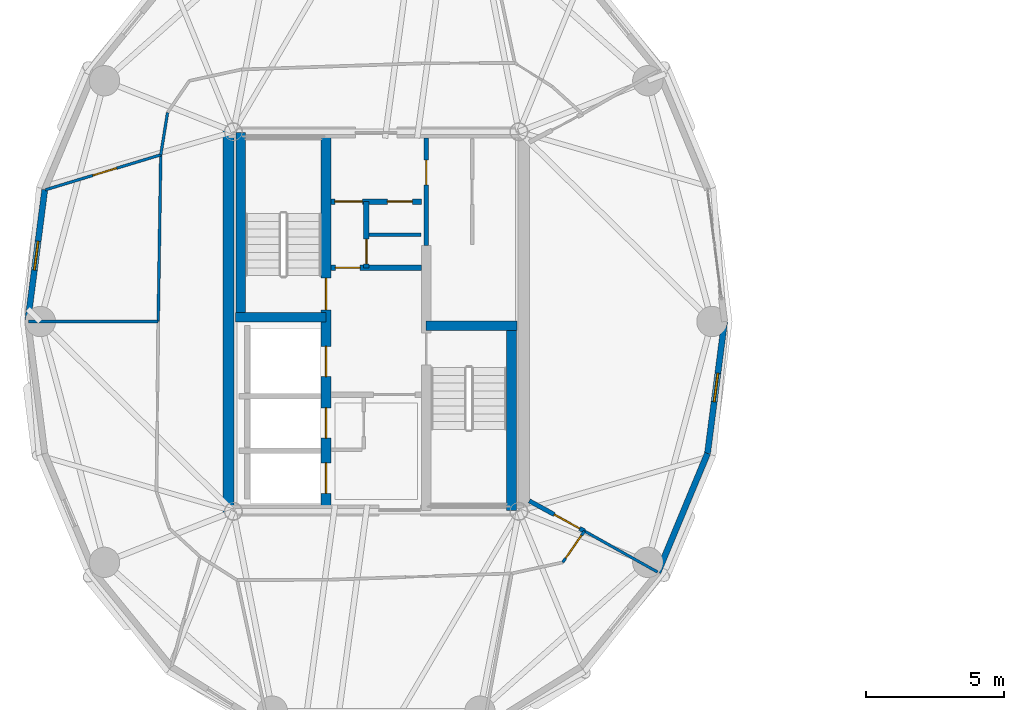
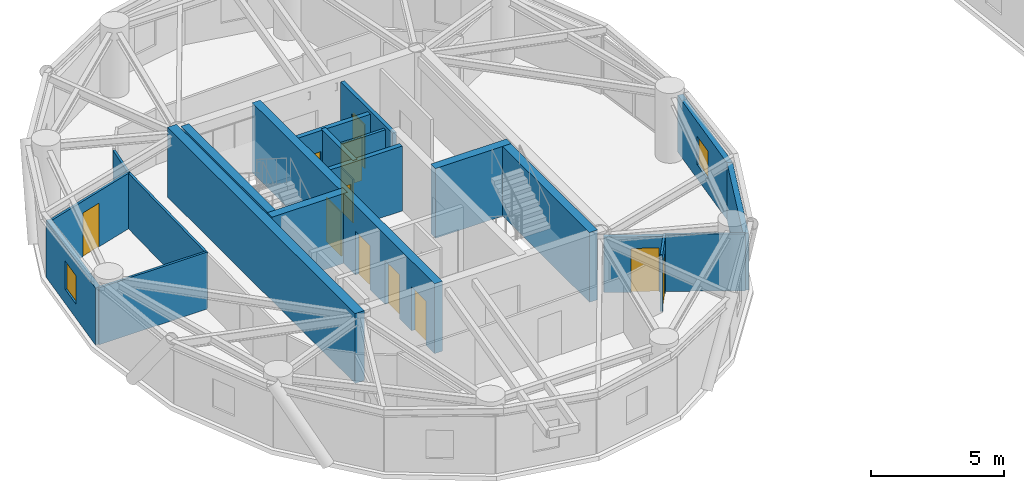
# One storey, part 9 of 15: 21 walls, 12 doors, 2 windows, 14 openings.
"""IFC4 building model written with IfcOpenShell, lengths in metres."""

from ifc_helpers import new_model, si_unit, direction, frame, frame_2d, origin, place, context, subcontext, project, spatial, rectangle, extrude, source, transform, mapped, material, layer, layer_set, type_object, element, fill, save


model = new_model("IFC4")

# Units and contexts
model_context = context("Model", 3, precision=1e-05, world=origin(), true_north=direction((0.0, 1.0)))
body_context = subcontext(model_context, "Body", "Model", "MODEL_VIEW")
ifc_project = project(units=[si_unit("LENGTHUNIT", "METRE"), si_unit("AREAUNIT", "SQUARE_METRE"), si_unit("VOLUMEUNIT", "CUBIC_METRE"), si_unit("PLANEANGLEUNIT", "RADIAN"), si_unit("MASSUNIT", "GRAM", prefix="KILO")], contexts=[model_context])

# Site, building, storey
site_placement = place(None, origin())
site = spatial("IfcSite", under=ifc_project, at=site_placement, CompositionType="ELEMENT")
building_placement = place(site_placement, origin())
building = spatial("IfcBuilding", under=site, at=building_placement, Name="Cununo Teusaquillo Station Towers", CompositionType="ELEMENT")
storey_placement = place(building_placement, frame((0.0, 0.0, 229.25)))
storey = spatial("IfcBuildingStorey", under=building, at=storey_placement, Name="L73", CompositionType="ELEMENT", Elevation=229.25)

# Wall, openings, doors
ifc_material_1 = material(Name="Concrete C50/60", Category="concrete")
ifc_layer_1 = layer(ifc_material_1, 0.35009765625)
ifc_layer_set_1 = layer_set([ifc_layer_1], Name="Concrete C50/60")
wall_type_1 = type_object("IfcWallType", Name="WL-CORE-350", PredefinedType="SHEAR", material=ifc_layer_set_1)
wall_1_placement = place(storey_placement, frame((14.68505859375, 17.64990234375, 0.0), z_axis=(0.0, 0.0, 1.0), x_axis=(0.0, 1.0, 0.0)))
wall_1 = element("IfcWall", 1, at=wall_1_placement, inside=storey, type_object=wall_type_1, Name="L73 Tower A Core Shear Wall IW", PredefinedType="SHEAR", context=body_context, shape_type="SweptSolid", body=[
    extrude(rectangle(XDim=13.7001953125, YDim=0.35009765625, at=frame_2d((6.85009765625, 0.0))), origin(), (0.0, 0.0, 1.0), 3.199951171875),
])
shared_shape_1 = source(origin(), body_context, "Body", "SweptSolid", [
    extrude(rectangle(XDim=1.10009765625, YDim=2.014892578125, at=frame_2d((0.550048828125, 1.00732421875))), frame((0.0, 0.18505859375, 0.0), z_axis=(0.0, -1.0, 0.0), x_axis=(1.0, 0.0, 0.0)), (0.0, 0.0, 1.0), 0.3701171875),
])
opening_1_placement = place(wall_1_placement, frame((4.85009765625, 0.0, 0.0)))
opening_1 = element("IfcOpeningElement", 2, at=opening_1_placement, cuts=wall_1, Name="Opening LD-01", PredefinedType="OPENING", context=body_context, shape_type="MappedRepresentation", body=[
    mapped(shared_shape_1, transform((0.0, 0.0, 0.0), x_axis=(1.0, 0.0, 0.0), y_axis=(0.0, 1.0, 0.0), z_axis=(0.0, 0.0, 1.0), scale=1.0)),
])
opening_2_placement = place(wall_1_placement, frame((0.625, 0.0, 0.0)))
opening_2 = element("IfcOpeningElement", 3, at=opening_2_placement, cuts=wall_1, Name="Opening LD-01", PredefinedType="OPENING", context=body_context, shape_type="MappedRepresentation", body=[
    mapped(shared_shape_1, transform((0.0, 0.0, 0.0), x_axis=(1.0, 0.0, 0.0), y_axis=(0.0, 1.0, 0.0), z_axis=(0.0, 0.0, 1.0), scale=1.0)),
])
opening_3_placement = place(wall_1_placement, frame((2.625, 0.0, 0.0)))
opening_3 = element("IfcOpeningElement", 4, at=opening_3_placement, cuts=wall_1, Name="Opening LD-01", PredefinedType="OPENING", context=body_context, shape_type="MappedRepresentation", body=[
    mapped(shared_shape_1, transform((0.0, 0.0, 0.0), x_axis=(1.0, 0.0, 0.0), y_axis=(0.0, 1.0, 0.0), z_axis=(0.0, 0.0, 1.0), scale=1.0)),
])
shared_shape_2 = source(origin(), body_context, "Body", "SweptSolid", [
    extrude(rectangle(XDim=1.14990234375, YDim=2.02001953125, at=frame_2d((0.574951171875, 1.010009765625))), frame((0.0, 0.18505859375, 0.0), z_axis=(0.0, -1.0, 0.0), x_axis=(1.0, 0.0, 0.0)), (0.0, 0.0, 1.0), 0.3701171875),
])
opening_4_placement = place(wall_1_placement, frame((7.27001953125, 0.0, 0.0)))
opening_4 = element("IfcOpeningElement", 5, at=opening_4_placement, cuts=wall_1, Name="Opening D-ST1", PredefinedType="OPENING", context=body_context, shape_type="MappedRepresentation", body=[
    mapped(shared_shape_2, transform((0.0, 0.0, 0.0), x_axis=(1.0, 0.0, 0.0), y_axis=(0.0, 1.0, 0.0), z_axis=(0.0, 0.0, 1.0), scale=1.0)),
])
ifc_material_2 = material(Name="Galvanised fire-rated hollow steel door assembly", Category="steel")
door_type_1 = type_object("IfcDoorType", Name="DR-LIFT-1100", OperationType="SLIDING_TO_LEFT", PredefinedType="DOOR", material=ifc_material_2)
shared_shape_3 = source(origin(), body_context, "Body", "SweptSolid", [
    extrude(rectangle(XDim=1.10009765625, YDim=2.014892578125, at=frame_2d((0.550048828125, 1.00732421875))), frame((0.0, 0.02490234375, 0.0), z_axis=(0.0, -1.0, 0.0), x_axis=(1.0, 0.0, 0.0)), (0.0, 0.0, 1.0), 0.050048828125),
])
door_1_placement = place(opening_1_placement, origin())
door_1 = element("IfcDoor", 6, at=door_1_placement, inside=storey, type_object=door_type_1, Name="L73 Lift FL-T1 Sliding Landing Door", OperationType="SLIDING_TO_RIGHT", OverallHeight=2.014892578125, OverallWidth=1.10009765625, PredefinedType="DOOR", context=body_context, shape_type="MappedRepresentation", body=[
    mapped(shared_shape_3, transform((0.0, 0.0, 0.0), x_axis=(1.0, 0.0, 0.0), y_axis=(0.0, 1.0, 0.0), z_axis=(0.0, 0.0, 1.0), scale=1.0)),
])
fill(opening_1, door_1)
door_2_placement = place(opening_2_placement, origin())
door_2 = element("IfcDoor", 7, at=door_2_placement, inside=storey, type_object=door_type_1, Name="L73 Lift PL-T1-H1 Sliding Landing Door", OperationType="SLIDING_TO_RIGHT", OverallHeight=2.014892578125, OverallWidth=1.10009765625, PredefinedType="DOOR", context=body_context, shape_type="MappedRepresentation", body=[
    mapped(shared_shape_3, transform((0.0, 0.0, 0.0), x_axis=(1.0, 0.0, 0.0), y_axis=(0.0, 1.0, 0.0), z_axis=(0.0, 0.0, 1.0), scale=1.0)),
])
fill(opening_2, door_2)
door_3_placement = place(opening_3_placement, origin())
door_3 = element("IfcDoor", 8, at=door_3_placement, inside=storey, type_object=door_type_1, Name="L73 Lift PL-T1-H2 Sliding Landing Door", OperationType="SLIDING_TO_LEFT", OverallHeight=2.014892578125, OverallWidth=1.10009765625, PredefinedType="DOOR", context=body_context, shape_type="MappedRepresentation", body=[
    mapped(shared_shape_3, transform((0.0, 0.0, 0.0), x_axis=(1.0, 0.0, 0.0), y_axis=(0.0, 1.0, 0.0), z_axis=(0.0, 0.0, 1.0), scale=1.0)),
])
fill(opening_3, door_3)
ifc_material_3 = material(Name="Galvanised fire-rated hollow steel door assembly", Category="steel")
door_type_2 = type_object("IfcDoorType", Name="DR-STAIR-1150", OperationType="NOTDEFINED", PredefinedType="DOOR", material=ifc_material_3)
shared_shape_4 = source(origin(), body_context, "Body", "SweptSolid", [
    extrude(rectangle(XDim=1.14990234375, YDim=2.02001953125, at=frame_2d((0.574951171875, 1.010009765625))), frame((0.0, 0.02490234375, 0.0), z_axis=(0.0, -1.0, 0.0), x_axis=(1.0, 0.0, 0.0)), (0.0, 0.0, 1.0), 0.050048828125),
])
door_4_placement = place(opening_4_placement, origin())
door_4 = element("IfcDoor", 9, at=door_4_placement, inside=storey, type_object=door_type_2, Name="L73 Tower A Exit Stair 1 Fire Door", OperationType="SINGLE_SWING_RIGHT", OverallHeight=2.02001953125, OverallWidth=1.14990234375, PredefinedType="DOOR", context=body_context, shape_type="MappedRepresentation", body=[
    mapped(shared_shape_4, transform((0.0, 0.0, 0.0), x_axis=(1.0, 0.0, 0.0), y_axis=(0.0, 1.0, 0.0), z_axis=(0.0, 0.0, 1.0), scale=1.0)),
])
fill(opening_4, door_4)

# Walls
wall_2_placement = place(storey_placement, frame((11.594970703125, 24.655029296875, 0.0), z_axis=(0.0, 0.0, 1.0), x_axis=(0.0, 1.0, 0.0)))
element("IfcWall", 10, at=wall_2_placement, inside=storey, type_object=wall_type_1, Name="L73 Tower A Core Shear Wall ST1W", PredefinedType="SHEAR", context=body_context, shape_type="SweptSolid", body=[
    extrude(rectangle(XDim=6.695068359375, YDim=0.35009765625, at=frame_2d((3.34765625, 0.0))), origin(), (0.0, 0.0, 1.0), 3.199951171875),
])
wall_3_placement = place(storey_placement, frame((11.39990234375, 24.655029296875, 0.0), z_axis=(0.0, 0.0, 1.0), x_axis=(1.0, 0.0, 0.0)))
element("IfcWall", 11, at=wall_3_placement, inside=storey, type_object=wall_type_1, Name="L73 Tower A Core Shear Wall ST1S", PredefinedType="SHEAR", context=body_context, shape_type="SweptSolid", body=[
    extrude(rectangle(XDim=3.28515625, YDim=0.35009765625, at=frame_2d((1.642578125, 0.0))), origin(), (0.0, 0.0, 1.0), 3.199951171875),
])
wall_4_placement = place(storey_placement, frame((21.405029296875, 17.64990234375, 0.0), z_axis=(0.0, 0.0, 1.0), x_axis=(0.0, 1.0, 0.0)))
element("IfcWall", 12, at=wall_4_placement, inside=storey, type_object=wall_type_1, Name="L73 Tower A Core Shear Wall ST2E", PredefinedType="SHEAR", context=body_context, shape_type="SweptSolid", body=[
    extrude(rectangle(XDim=6.695068359375, YDim=0.35009765625, at=frame_2d((3.34765625, 0.0))), origin(), (0.0, 0.0, 1.0), 3.199951171875),
])
wall_5_placement = place(storey_placement, frame((18.31494140625, 24.344970703125, 0.0), z_axis=(0.0, 0.0, 1.0), x_axis=(1.0, 0.0, 0.0)))
element("IfcWall", 13, at=wall_5_placement, inside=storey, type_object=wall_type_1, Name="L73 Tower A Core Shear Wall ST2N", PredefinedType="SHEAR", context=body_context, shape_type="SweptSolid", body=[
    extrude(rectangle(XDim=3.28515625, YDim=0.35009765625, at=frame_2d((1.642578125, 0.0))), origin(), (0.0, 0.0, 1.0), 3.199951171875),
])
ifc_material_4 = material(Name="Concrete C50/60", Category="concrete")
ifc_layer_2 = layer(ifc_material_4, 0.39990234375)
ifc_layer_set_2 = layer_set([ifc_layer_2], Name="Concrete C50/60")
wall_type_2 = type_object("IfcWallType", Name="WL-CORE-400", PredefinedType="SHEAR", material=ifc_layer_set_2)
wall_6_placement = place(storey_placement, frame((11.14990234375, 17.449951171875, 0.0), z_axis=(0.0, 0.0, 1.0), x_axis=(0.0, 1.0, 0.0)))
element("IfcWall", 14, at=wall_6_placement, inside=storey, type_object=wall_type_2, Name="L73 Tower A Core Shear Wall W", PredefinedType="SHEAR", context=body_context, shape_type="SweptSolid", body=[
    extrude(rectangle(XDim=14.10009765625, YDim=0.39990234375, at=frame_2d((7.050048828125, 0.0))), origin(), (0.0, 0.0, 1.0), 3.199951171875),
])

# Wall, opening, window
ifc_material_5 = material(Name="Precast concrete C40/50", Category="concrete")
ifc_layer_3 = layer(ifc_material_5, 0.219970703125)
ifc_layer_set_3 = layer_set([ifc_layer_3], Name="Precast concrete C40/50")
wall_type_3 = type_object("IfcWallType", Name="WL-EXT-220", PredefinedType="SOLIDWALL", material=ifc_layer_set_3)
wall_7_placement = place(storey_placement, frame((3.8701171875, 24.5, 0.0), z_axis=(0.0, 0.0, 1.0), x_axis=(0.128241318541, 0.991742993027, 0.0)))
wall_7 = element("IfcWall", 15, at=wall_7_placement, inside=storey, type_object=wall_type_3, Name="L73 Tower A Exterior Facade Wall C09", PredefinedType="SOLIDWALL", context=body_context, shape_type="SweptSolid", body=[
    extrude(rectangle(XDim=4.8203125, YDim=0.219970703125, at=frame_2d((2.41015625, 0.0))), origin(), (0.0, 0.0, 1.0), 2.612060546875),
])
shared_shape_5 = source(origin(), body_context, "Body", "SweptSolid", [
    extrude(rectangle(XDim=1.050048828125, YDim=1.300048828125, at=frame_2d((0.52490234375, 0.64990234375))), frame((0.0, 0.119873046875, 0.0), z_axis=(0.0, -1.0, 0.0), x_axis=(1.0, 0.0, 0.0)), (0.0, 0.0, 1.0), 0.239990234375),
])
opening_5_placement = place(wall_7_placement, frame((1.885009765625, 0.0, 0.64990234375)))
opening_5 = element("IfcOpeningElement", 16, at=opening_5_placement, cuts=wall_7, Name="Opening WN-04", PredefinedType="OPENING", context=body_context, shape_type="MappedRepresentation", body=[
    mapped(shared_shape_5, transform((0.0, 0.0, 0.0), x_axis=(1.0, 0.0, 0.0), y_axis=(0.0, 1.0, 0.0), z_axis=(0.0, 0.0, 1.0), scale=1.0)),
])
ifc_material_6 = material(Name="Operable acoustic tinted low-E double glazing", Category="glass")
window_type = type_object("IfcWindowType", Name="WIN-BAL-1050", PartitioningType="SINGLE_PANEL", PredefinedType="WINDOW", material=ifc_material_6)
shared_shape_6 = source(origin(), body_context, "Body", "SweptSolid", [
    extrude(rectangle(XDim=1.050048828125, YDim=1.300048828125, at=frame_2d((0.52490234375, 0.64990234375))), frame((0.0, 0.030029296875, 0.0), z_axis=(0.0, -1.0, 0.0), x_axis=(1.0, 0.0, 0.0)), (0.0, 0.0, 1.0), 0.06005859375),
])
window_1_placement = place(opening_5_placement, origin())
window_1 = element("IfcWindow", 17, at=window_1_placement, inside=storey, type_object=window_type, Name="L73 Tower A Facade Window C09", OverallHeight=1.300048828125, OverallWidth=1.050048828125, PartitioningType="SINGLE_PANEL", PredefinedType="WINDOW", context=body_context, shape_type="MappedRepresentation", body=[
    mapped(shared_shape_6, transform((0.0, 0.0, 0.0), x_axis=(1.0, 0.0, 0.0), y_axis=(0.0, 1.0, 0.0), z_axis=(0.0, 0.0, 1.0), scale=1.0)),
])
fill(opening_5, window_1)

# Wall
wall_8_placement = place(storey_placement, frame((28.51171875, 19.719482421875, 0.0), z_axis=(0.0, 0.0, 1.0), x_axis=(-0.384036305194, -0.923317993052, 0.0)))
element("IfcWall", 18, at=wall_8_placement, inside=storey, type_object=wall_type_3, Name="L73 Tower A Exterior Facade Wall C18", PredefinedType="SOLIDWALL", context=body_context, shape_type="SweptSolid", body=[
    extrude(rectangle(XDim=4.670654296875, YDim=0.219970703125, at=frame_2d((2.33544921875, 0.0))), origin(), (0.0, 0.0, 1.0), 2.612060546875),
])

# Wall, opening, window
wall_9_placement = place(storey_placement, frame((29.1298828125, 24.5, 0.0), z_axis=(0.0, 0.0, 1.0), x_axis=(-0.128241318541, -0.991742993027, 0.0)))
wall_9 = element("IfcWall", 19, at=wall_9_placement, inside=storey, type_object=wall_type_3, Name="L73 Tower A Exterior Facade Wall C19", PredefinedType="SOLIDWALL", context=body_context, shape_type="SweptSolid", body=[
    extrude(rectangle(XDim=4.8203125, YDim=0.219970703125, at=frame_2d((2.41015625, 0.0))), origin(), (0.0, 0.0, 1.0), 2.612060546875),
])
opening_6_placement = place(wall_9_placement, frame((1.885009765625, 0.0, 0.64990234375)))
opening_6 = element("IfcOpeningElement", 20, at=opening_6_placement, cuts=wall_9, Name="Opening WN-04", PredefinedType="OPENING", context=body_context, shape_type="MappedRepresentation", body=[
    mapped(shared_shape_5, transform((0.0, 0.0, 0.0), x_axis=(1.0, 0.0, 0.0), y_axis=(0.0, 1.0, 0.0), z_axis=(0.0, 0.0, 1.0), scale=1.0)),
])
window_2_placement = place(opening_6_placement, origin())
window_2 = element("IfcWindow", 21, at=window_2_placement, inside=storey, type_object=window_type, Name="L73 Tower A Facade Window C19", OverallHeight=1.300048828125, OverallWidth=1.050048828125, PartitioningType="SINGLE_PANEL", PredefinedType="WINDOW", context=body_context, shape_type="MappedRepresentation", body=[
    mapped(shared_shape_6, transform((0.0, 0.0, 0.0), x_axis=(1.0, 0.0, 0.0), y_axis=(0.0, 1.0, 0.0), z_axis=(0.0, 0.0, 1.0), scale=1.0)),
])
fill(opening_6, window_2)

# Walls
ifc_material_7 = material(Name="Fire-rated gypsum plasterboard partition assembly", Category="gypsum")
ifc_layer_4 = layer(ifc_material_7, 0.10009765625)
ifc_layer_set_4 = layer_set([ifc_layer_4], Name="Fire-rated gypsum plasterboard partition assembly")
wall_type_4 = type_object("IfcWallType", Name="WL-PART-100", PredefinedType="MOVABLE", material=ifc_layer_set_4)
wall_10_placement = place(storey_placement, frame((8.93994140625, 32.078369140625, 0.0), z_axis=(0.0, 0.0, 1.0), x_axis=(-0.159148467753, -0.98725466077, 0.0)))
element("IfcWall", 22, at=wall_10_placement, inside=storey, type_object=wall_type_4, Name="L73 Tower A Corridor Ring Wall C08", PredefinedType="MOVABLE", context=body_context, shape_type="SweptSolid", body=[
    extrude(rectangle(XDim=1.553955078125, YDim=0.10009765625, at=frame_2d((0.77685546875, 0.0))), origin(), (0.0, 0.0, 1.0), 2.544921875),
])
wall_11_placement = place(storey_placement, frame((8.692626953125, 30.544189453125, 0.0), z_axis=(0.0, 0.0, 1.0), x_axis=(-0.015307007986, -0.99988284089, 0.0)))
element("IfcWall", 23, at=wall_11_placement, inside=storey, type_object=wall_type_4, Name="L73 Tower A Corridor Ring Wall C09", PredefinedType="MOVABLE", context=body_context, shape_type="SweptSolid", body=[
    extrude(rectangle(XDim=6.044921875, YDim=0.10009765625, at=frame_2d((3.0224609375, 0.0))), origin(), (0.0, 0.0, 1.0), 2.544921875),
])

# Wall, opening, door
wall_12_placement = place(storey_placement, frame((23.263427734375, 15.77001953125, 0.0), z_axis=(0.0, 0.0, 1.0), x_axis=(0.570743456919, 0.821128434768, 0.0)))
wall_12 = element("IfcWall", 24, at=wall_12_placement, inside=storey, type_object=wall_type_4, Name="L73 Tower A Corridor Ring Wall C17", PredefinedType="MOVABLE", context=body_context, shape_type="SweptSolid", body=[
    extrude(rectangle(XDim=1.381591796875, YDim=0.10009765625, at=frame_2d((0.69091796875, 0.0))), origin(), (0.0, 0.0, 1.0), 2.612060546875),
])
shared_shape_7 = source(origin(), body_context, "Body", "SweptSolid", [
    extrude(rectangle(XDim=1.0, YDim=2.014892578125, at=frame_2d((0.5, 1.00732421875))), frame((0.0, 0.06005859375, 0.0), z_axis=(0.0, -1.0, 0.0), x_axis=(1.0, 0.0, 0.0)), (0.0, 0.0, 1.0), 0.1201171875),
])
opening_7_placement = place(wall_12_placement, frame((0.19091796875, 0.0, 0.0)))
opening_7 = element("IfcOpeningElement", 25, at=opening_7_placement, cuts=wall_12, Name="Opening D-AC1", PredefinedType="OPENING", context=body_context, shape_type="MappedRepresentation", body=[
    mapped(shared_shape_7, transform((0.0, 0.0, 0.0), x_axis=(1.0, 0.0, 0.0), y_axis=(0.0, 1.0, 0.0), z_axis=(0.0, 0.0, 1.0), scale=1.0)),
])
ifc_material_8 = material(Name="Acoustic solid-core hardwood leaf assembly", Category="wood")
door_type_3 = type_object("IfcDoorType", Name="DR-ACC-1000", OperationType="NOTDEFINED", PredefinedType="DOOR", material=ifc_material_8)
shared_shape_8 = source(origin(), body_context, "Body", "SweptSolid", [
    extrude(rectangle(XDim=1.0, YDim=2.014892578125, at=frame_2d((0.5, 1.00732421875))), frame((0.0, 0.02490234375, 0.0), z_axis=(0.0, -1.0, 0.0), x_axis=(1.0, 0.0, 0.0)), (0.0, 0.0, 1.0), 0.050048828125),
])
door_5_placement = place(opening_7_placement, origin())
door_5 = element("IfcDoor", 26, at=door_5_placement, inside=storey, type_object=door_type_3, Name="L73 Tower A Public Accessible Restroom WC Entrance Door", OperationType="SINGLE_SWING_LEFT", OverallHeight=2.014892578125, OverallWidth=1.0, PredefinedType="DOOR", context=body_context, shape_type="MappedRepresentation", body=[
    mapped(shared_shape_8, transform((0.0, 0.0, 0.0), x_axis=(1.0, 0.0, 0.0), y_axis=(0.0, 1.0, 0.0), z_axis=(0.0, 0.0, 1.0), scale=1.0)),
])
fill(opening_7, door_5)

# Walls
wall_13_placement = place(storey_placement, frame((8.60009765625, 24.5, 0.0), z_axis=(0.0, 0.0, 1.0), x_axis=(-1.0, 0.0, 0.0)))
element("IfcWall", 27, at=wall_13_placement, inside=storey, type_object=wall_type_4, Name="L73 Tower A Radial Suite Partition R03", PredefinedType="MOVABLE", context=body_context, shape_type="SweptSolid", body=[
    extrude(rectangle(XDim=4.710205078125, YDim=0.10009765625, at=frame_2d((2.35498046875, 0.0))), origin(), (0.0, 0.0, 1.0), 2.612060546875),
])
wall_14_placement = place(storey_placement, frame((24.052001953125, 16.904541015625, 0.0), z_axis=(0.0, 0.0, 1.0), x_axis=(0.872220814965, -0.489112308106, 0.0)))
element("IfcWall", 28, at=wall_14_placement, inside=storey, type_object=wall_type_4, Name="L73 Tower A Radial Suite Partition R06", PredefinedType="MOVABLE", context=body_context, shape_type="SweptSolid", body=[
    extrude(rectangle(XDim=3.037841796875, YDim=0.10009765625, at=frame_2d((1.51904296875, 0.0))), origin(), (0.0, 0.0, 1.0), 2.612060546875),
])

# Wall, opening, door
wall_15_placement = place(storey_placement, frame((8.692626953125, 30.544189453125, 0.0), z_axis=(0.0, 0.0, 1.0), x_axis=(-0.956933754187, -0.290306372814, 0.0)))
wall_15 = element("IfcWall", 29, at=wall_15_placement, inside=storey, type_object=wall_type_4, Name="L73 Tower A North Bogota Sabana Viewing Gallery Suite Subdividing Wall", PredefinedType="MOVABLE", context=body_context, shape_type="SweptSolid", body=[
    extrude(rectangle(XDim=4.3740234375, YDim=0.10009765625, at=frame_2d((2.18701171875, 0.0))), origin(), (0.0, 0.0, 1.0), 2.544921875),
])
shared_shape_9 = source(origin(), body_context, "Body", "SweptSolid", [
    extrude(rectangle(XDim=0.89990234375, YDim=2.0048828125, at=frame_2d((0.449951171875, 1.00244140625))), frame((0.0, 0.06005859375, 0.0), z_axis=(0.0, -1.0, 0.0), x_axis=(1.0, 0.0, 0.0)), (0.0, 0.0, 1.0), 0.1201171875),
])
opening_8_placement = place(wall_15_placement, frame((1.673828125, 0.0, 0.0)))
opening_8 = element("IfcOpeningElement", 30, at=opening_8_placement, cuts=wall_15, Name="Opening D-IN1", PredefinedType="OPENING", context=body_context, shape_type="MappedRepresentation", body=[
    mapped(shared_shape_9, transform((0.0, 0.0, 0.0), x_axis=(1.0, 0.0, 0.0), y_axis=(0.0, 1.0, 0.0), z_axis=(0.0, 0.0, 1.0), scale=1.0)),
])
ifc_material_9 = material(Name="Acoustic solid-core hardwood leaf assembly", Category="wood")
door_type_4 = type_object("IfcDoorType", Name="DR-INT-900", OperationType="NOTDEFINED", PredefinedType="DOOR", material=ifc_material_9)
shared_shape_10 = source(origin(), body_context, "Body", "SweptSolid", [
    extrude(rectangle(XDim=0.89990234375, YDim=2.0048828125, at=frame_2d((0.449951171875, 1.00244140625))), frame((0.0, 0.02490234375, 0.0), z_axis=(0.0, -1.0, 0.0), x_axis=(1.0, 0.0, 0.0)), (0.0, 0.0, 1.0), 0.050048828125),
])
door_6_placement = place(opening_8_placement, origin())
door_6 = element("IfcDoor", 31, at=door_6_placement, inside=storey, type_object=door_type_4, Name="L73 Tower A North Bogota Sabana Viewing Gallery Suite Connecting Door", OperationType="SINGLE_SWING_LEFT", OverallHeight=2.0048828125, OverallWidth=0.89990234375, PredefinedType="DOOR", context=body_context, shape_type="MappedRepresentation", body=[
    mapped(shared_shape_10, transform((0.0, 0.0, 0.0), x_axis=(1.0, 0.0, 0.0), y_axis=(0.0, 1.0, 0.0), z_axis=(0.0, 0.0, 1.0), scale=1.0)),
])
fill(opening_8, door_6)

# Wall
ifc_material_10 = material(Name="Fire-rated gypsum plasterboard partition assembly", Category="gypsum")
ifc_layer_5 = layer(ifc_material_10, 0.125)
ifc_layer_set_5 = layer_set([ifc_layer_5], Name="Fire-rated gypsum plasterboard partition assembly")
wall_type_5 = type_object("IfcWallType", Name="WL-PART-125", PredefinedType="PARTITIONING", material=ifc_layer_set_5)
wall_16_placement = place(storey_placement, frame((16.239990234375, 27.64990234375, 0.0), z_axis=(0.0, 0.0, 1.0), x_axis=(1.0, 0.0, 0.0)))
element("IfcWall", 32, at=wall_16_placement, inside=storey, type_object=wall_type_5, Name="L73 Tower A Core Horizontal Split Wall", PredefinedType="PARTITIONING", context=body_context, shape_type="SweptSolid", body=[
    extrude(rectangle(XDim=1.880126953125, YDim=0.125, at=frame_2d((0.93994140625, 0.0))), origin(), (0.0, 0.0, 1.0), 2.97509765625),
])

# Wall, opening, door
ifc_material_11 = material(Name="Fire-rated gypsum plasterboard partition assembly", Category="gypsum")
ifc_layer_6 = layer(ifc_material_11, 0.159912109375)
ifc_layer_set_6 = layer_set([ifc_layer_6], Name="Fire-rated gypsum plasterboard partition assembly")
wall_type_6 = type_object("IfcWallType", Name="WL-PART-160", PredefinedType="PARTITIONING", material=ifc_layer_set_6)
wall_17_placement = place(storey_placement, frame((18.31494140625, 27.25, 0.0), z_axis=(0.0, 0.0, 1.0), x_axis=(0.0, 1.0, 0.0)))
wall_17 = element("IfcWall", 33, at=wall_17_placement, inside=storey, type_object=wall_type_6, Name="L73 Tower A Reclaimed Core Bay Entry Wall", PredefinedType="PARTITIONING", context=body_context, shape_type="SweptSolid", body=[
    extrude(rectangle(XDim=3.89990234375, YDim=0.159912109375, at=frame_2d((1.949951171875, 0.0))), origin(), (0.0, 0.0, 1.0), 2.97509765625),
])
shared_shape_11 = source(origin(), body_context, "Body", "SweptSolid", [
    extrude(rectangle(XDim=0.89990234375, YDim=2.0048828125, at=frame_2d((0.449951171875, 1.00244140625))), frame((0.0, 0.08984375, 0.0), z_axis=(0.0, -1.0, 0.0), x_axis=(1.0, 0.0, 0.0)), (0.0, 0.0, 1.0), 0.179931640625),
])
opening_9_placement = place(wall_17_placement, frame((2.199951171875, 0.0, 0.0)))
opening_9 = element("IfcOpeningElement", 34, at=opening_9_placement, cuts=wall_17, Name="Opening D-IN1", PredefinedType="OPENING", context=body_context, shape_type="MappedRepresentation", body=[
    mapped(shared_shape_11, transform((0.0, 0.0, 0.0), x_axis=(1.0, 0.0, 0.0), y_axis=(0.0, 1.0, 0.0), z_axis=(0.0, 0.0, 1.0), scale=1.0)),
])
door_7_placement = place(opening_9_placement, origin())
door_7 = element("IfcDoor", 35, at=door_7_placement, inside=storey, type_object=door_type_4, Name="L73 Tower A Reclaimed Meeting Room Door", OperationType="SINGLE_SWING_LEFT", OverallHeight=2.0048828125, OverallWidth=0.89990234375, PredefinedType="DOOR", context=body_context, shape_type="MappedRepresentation", body=[
    mapped(shared_shape_10, transform((0.0, 0.0, 0.0), x_axis=(1.0, 0.0, 0.0), y_axis=(0.0, 1.0, 0.0), z_axis=(0.0, 0.0, 1.0), scale=1.0)),
])
fill(opening_9, door_7)

wall_18_placement = place(storey_placement, frame((22.050048828125, 18.0, 0.0), z_axis=(0.0, 0.0, 1.0), x_axis=(0.877252891813, -0.480028503118, 0.0)))
wall_18 = element("IfcWall", 36, at=wall_18_placement, inside=storey, type_object=wall_type_6, Name="L73 Tower A East Salon Corridor Portal Wall SE", PredefinedType="PARTITIONING", context=body_context, shape_type="SweptSolid", body=[
    extrude(rectangle(XDim=2.281982421875, YDim=0.159912109375, at=frame_2d((1.14111328125, 0.0))), origin(), (0.0, 0.0, 1.0), 2.544921875),
])
shared_shape_12 = source(origin(), body_context, "Body", "SweptSolid", [
    extrude(rectangle(XDim=1.050048828125, YDim=2.014892578125, at=frame_2d((0.52490234375, 1.00732421875))), frame((0.0, 0.08984375, 0.0), z_axis=(0.0, -1.0, 0.0), x_axis=(1.0, 0.0, 0.0)), (0.0, 0.0, 1.0), 0.179931640625),
])
opening_10_placement = place(wall_18_placement, frame((1.031982421875, 0.0, 0.0)))
opening_10 = element("IfcOpeningElement", 37, at=opening_10_placement, cuts=wall_18, Name="Opening D-SU1", PredefinedType="OPENING", context=body_context, shape_type="MappedRepresentation", body=[
    mapped(shared_shape_12, transform((0.0, 0.0, 0.0), x_axis=(1.0, 0.0, 0.0), y_axis=(0.0, 1.0, 0.0), z_axis=(0.0, 0.0, 1.0), scale=1.0)),
])
ifc_material_12 = material(Name="Acoustic solid-core hardwood leaf assembly", Category="wood")
door_type_5 = type_object("IfcDoorType", Name="DR-SUITE-1050", OperationType="NOTDEFINED", PredefinedType="DOOR", material=ifc_material_12)
shared_shape_13 = source(origin(), body_context, "Body", "SweptSolid", [
    extrude(rectangle(XDim=1.050048828125, YDim=2.014892578125, at=frame_2d((0.52490234375, 1.00732421875))), frame((0.0, 0.02490234375, 0.0), z_axis=(0.0, -1.0, 0.0), x_axis=(1.0, 0.0, 0.0)), (0.0, 0.0, 1.0), 0.050048828125),
])
door_8_placement = place(opening_10_placement, origin())
door_8 = element("IfcDoor", 38, at=door_8_placement, inside=storey, type_object=door_type_5, Name="L73 Tower A East Panorama Sky Salon Door SE", OperationType="SINGLE_SWING_RIGHT", OverallHeight=2.014892578125, OverallWidth=1.050048828125, PredefinedType="DOOR", context=body_context, shape_type="MappedRepresentation", body=[
    mapped(shared_shape_13, transform((0.0, 0.0, 0.0), x_axis=(1.0, 0.0, 0.0), y_axis=(0.0, 1.0, 0.0), z_axis=(0.0, 0.0, 1.0), scale=1.0)),
])
fill(opening_10, door_8)

ifc_material_13 = material(Name="Fire-rated gypsum plasterboard partition assembly", Category="gypsum")
ifc_layer_7 = layer(ifc_material_13, 0.199951171875)
ifc_layer_set_7 = layer_set([ifc_layer_7], Name="Fire-rated gypsum plasterboard partition assembly")
wall_type_7 = type_object("IfcWallType", Name="WL-PART-200", PredefinedType="PARTITIONING", material=ifc_layer_set_7)
wall_19_placement = place(storey_placement, frame((14.860107421875, 26.449951171875, 0.0), z_axis=(0.0, 0.0, 1.0), x_axis=(1.0, 0.0, 0.0)))
wall_19 = element("IfcWall", 39, at=wall_19_placement, inside=storey, type_object=wall_type_7, Name="L73 Tower A Firefighting Lift Lobby North Fire Wall", PredefinedType="PARTITIONING", context=body_context, shape_type="SweptSolid", body=[
    extrude(rectangle(XDim=3.27978515625, YDim=0.199951171875, at=frame_2d((1.639892578125, 0.0))), origin(), (0.0, 0.0, 1.0), 2.97509765625),
])
shared_shape_14 = source(origin(), body_context, "Body", "SweptSolid", [
    extrude(rectangle(XDim=0.89990234375, YDim=2.0048828125, at=frame_2d((0.449951171875, 1.00244140625))), frame((0.0, 0.10986328125, 0.0), z_axis=(0.0, -1.0, 0.0), x_axis=(1.0, 0.0, 0.0)), (0.0, 0.0, 1.0), 0.219970703125),
])
opening_11_placement = place(wall_19_placement, frame((0.159912109375, 0.0, 0.0)))
opening_11 = element("IfcOpeningElement", 40, at=opening_11_placement, cuts=wall_19, Name="Opening D-SR1", PredefinedType="OPENING", context=body_context, shape_type="MappedRepresentation", body=[
    mapped(shared_shape_14, transform((0.0, 0.0, 0.0), x_axis=(1.0, 0.0, 0.0), y_axis=(0.0, 1.0, 0.0), z_axis=(0.0, 0.0, 1.0), scale=1.0)),
])
ifc_material_14 = material(Name="Galvanised fire-rated hollow steel door assembly", Category="steel")
door_type_6 = type_object("IfcDoorType", Name="DR-STORE-900", OperationType="NOTDEFINED", PredefinedType="DOOR", material=ifc_material_14)
door_9_placement = place(opening_11_placement, origin())
door_9 = element("IfcDoor", 41, at=door_9_placement, inside=storey, type_object=door_type_6, Name="L73 Tower A Stair 1 Protected Vestibule South Door", OperationType="SINGLE_SWING_RIGHT", OverallHeight=2.0048828125, OverallWidth=0.89990234375, PredefinedType="DOOR", context=body_context, shape_type="MappedRepresentation", body=[
    mapped(shared_shape_10, transform((0.0, 0.0, 0.0), x_axis=(1.0, 0.0, 0.0), y_axis=(0.0, 1.0, 0.0), z_axis=(0.0, 0.0, 1.0), scale=1.0)),
])
fill(opening_11, door_9)

wall_20_placement = place(storey_placement, frame((16.14990234375, 26.449951171875, 0.0), z_axis=(0.0, 0.0, 1.0), x_axis=(0.0, 1.0, 0.0)))
wall_20 = element("IfcWall", 42, at=wall_20_placement, inside=storey, type_object=wall_type_7, Name="L73 Tower A Stair 1 Vestibule Partition Wall", PredefinedType="PARTITIONING", context=body_context, shape_type="SweptSolid", body=[
    extrude(rectangle(XDim=2.400146484375, YDim=0.199951171875, at=frame_2d((1.2001953125, 0.0))), origin(), (0.0, 0.0, 1.0), 2.97509765625),
])
opening_12_placement = place(wall_20_placement, frame((0.139892578125, 0.0, 0.0)))
opening_12 = element("IfcOpeningElement", 43, at=opening_12_placement, cuts=wall_20, Name="Opening D-SR1", PredefinedType="OPENING", context=body_context, shape_type="MappedRepresentation", body=[
    mapped(shared_shape_14, transform((0.0, 0.0, 0.0), x_axis=(1.0, 0.0, 0.0), y_axis=(0.0, 1.0, 0.0), z_axis=(0.0, 0.0, 1.0), scale=1.0)),
])
door_10_placement = place(opening_12_placement, origin())
door_10 = element("IfcDoor", 44, at=door_10_placement, inside=storey, type_object=door_type_6, Name="L73 Tower A Core Linen Store Door", OperationType="SINGLE_SWING_LEFT", OverallHeight=2.0048828125, OverallWidth=0.89990234375, PredefinedType="DOOR", context=body_context, shape_type="MappedRepresentation", body=[
    mapped(shared_shape_10, transform((0.0, 0.0, 0.0), x_axis=(1.0, 0.0, 0.0), y_axis=(0.0, 1.0, 0.0), z_axis=(0.0, 0.0, 1.0), scale=1.0)),
])
fill(opening_12, door_10)

# Wall, openings, doors
wall_21_placement = place(storey_placement, frame((14.860107421875, 28.85009765625, 0.0), z_axis=(0.0, 0.0, 1.0), x_axis=(1.0, 0.0, 0.0)))
wall_21 = element("IfcWall", 45, at=wall_21_placement, inside=storey, type_object=wall_type_7, Name="L73 Tower A North Lift Lobby South Fire Wall", PredefinedType="PARTITIONING", context=body_context, shape_type="SweptSolid", body=[
    extrude(rectangle(XDim=3.27978515625, YDim=0.199951171875, at=frame_2d((1.639892578125, 0.0))), origin(), (0.0, 0.0, 1.0), 2.97509765625),
])
shared_shape_15 = source(origin(), body_context, "Body", "SweptSolid", [
    extrude(rectangle(XDim=1.0, YDim=2.014892578125, at=frame_2d((0.5, 1.00732421875))), frame((0.0, 0.10986328125, 0.0), z_axis=(0.0, -1.0, 0.0), x_axis=(1.0, 0.0, 0.0)), (0.0, 0.0, 1.0), 0.219970703125),
])
opening_13_placement = place(wall_21_placement, frame((0.139892578125, 0.0, 0.0)))
opening_13 = element("IfcOpeningElement", 46, at=opening_13_placement, cuts=wall_21, Name="Opening D-AC1", PredefinedType="OPENING", context=body_context, shape_type="MappedRepresentation", body=[
    mapped(shared_shape_15, transform((0.0, 0.0, 0.0), x_axis=(1.0, 0.0, 0.0), y_axis=(0.0, 1.0, 0.0), z_axis=(0.0, 0.0, 1.0), scale=1.0)),
])
opening_14_placement = place(wall_21_placement, frame((2.050048828125, 0.0, 0.0)))
opening_14 = element("IfcOpeningElement", 47, at=opening_14_placement, cuts=wall_21, Name="Opening D-SR1", PredefinedType="OPENING", context=body_context, shape_type="MappedRepresentation", body=[
    mapped(shared_shape_14, transform((0.0, 0.0, 0.0), x_axis=(1.0, 0.0, 0.0), y_axis=(0.0, 1.0, 0.0), z_axis=(0.0, 0.0, 1.0), scale=1.0)),
])
door_11_placement = place(opening_14_placement, origin())
door_11 = element("IfcDoor", 48, at=door_11_placement, inside=storey, type_object=door_type_6, Name="L73 Tower A Core Comms Room Door", OperationType="SINGLE_SWING_RIGHT", OverallHeight=2.0048828125, OverallWidth=0.89990234375, PredefinedType="DOOR", context=body_context, shape_type="MappedRepresentation", body=[
    mapped(shared_shape_10, transform((0.0, 0.0, 0.0), x_axis=(1.0, 0.0, 0.0), y_axis=(0.0, 1.0, 0.0), z_axis=(0.0, 0.0, 1.0), scale=1.0)),
])
fill(opening_14, door_11)
door_12_placement = place(opening_13_placement, origin())
door_12 = element("IfcDoor", 49, at=door_12_placement, inside=storey, type_object=door_type_3, Name="L73 Tower A North Lift Lobby to Stair 1 Vestibule Door", OperationType="SINGLE_SWING_LEFT", OverallHeight=2.014892578125, OverallWidth=1.0, PredefinedType="DOOR", context=body_context, shape_type="MappedRepresentation", body=[
    mapped(shared_shape_8, transform((0.0, 0.0, 0.0), x_axis=(1.0, 0.0, 0.0), y_axis=(0.0, 1.0, 0.0), z_axis=(0.0, 0.0, 1.0), scale=1.0)),
])
fill(opening_13, door_12)

save(model, "model.ifc")
